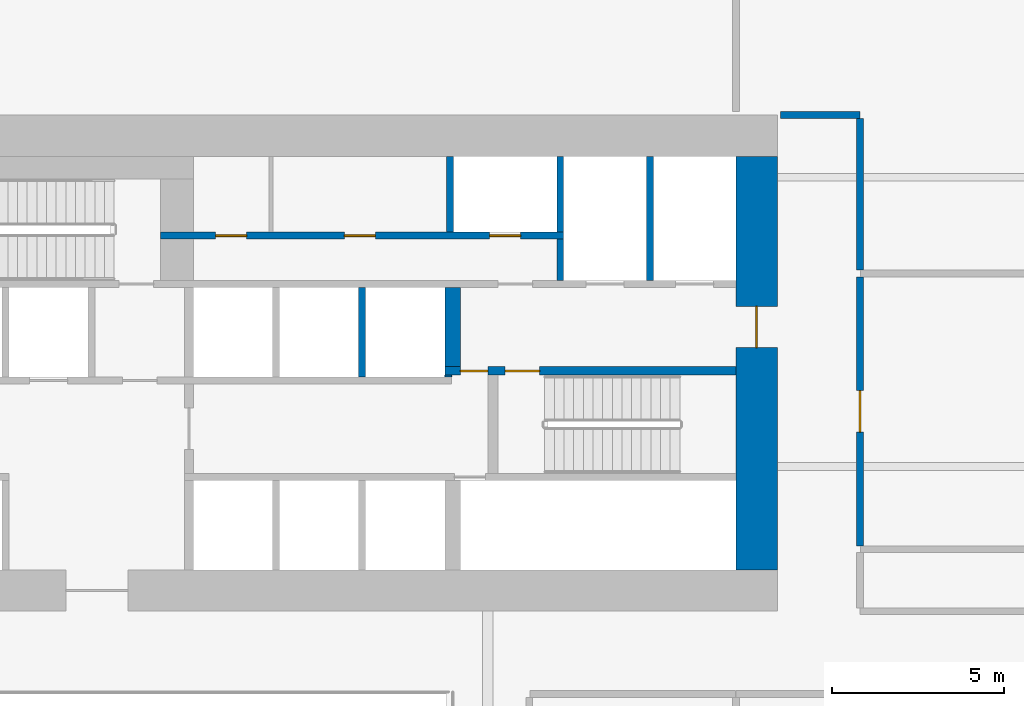
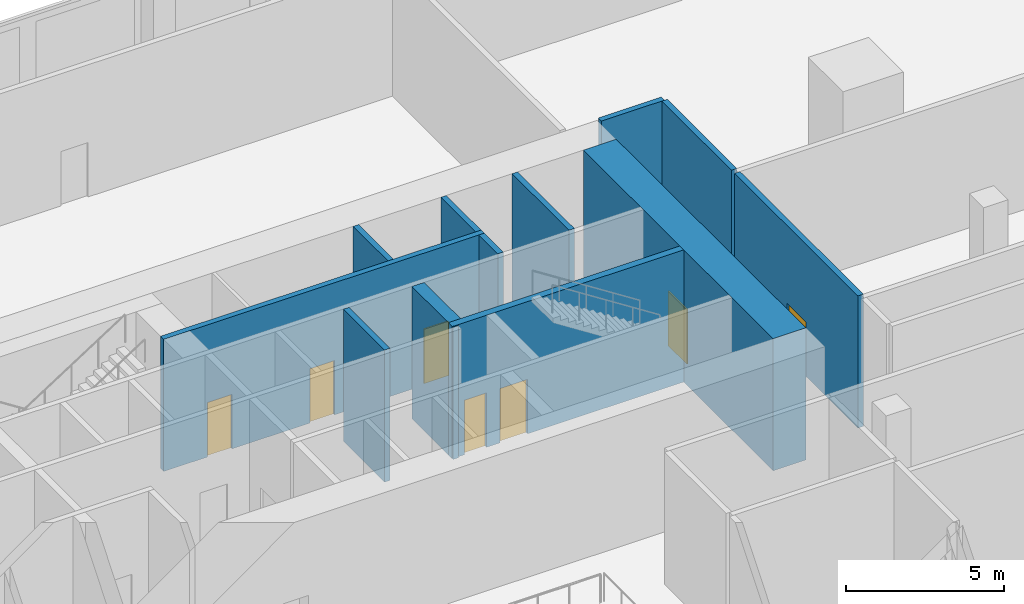
# One storey, part 31 of 39: 13 walls, 7 doors, 7 openings.
"""IFC4 building model written with IfcOpenShell, lengths in metres."""

from ifc_helpers import new_model, si_unit, direction, frame, frame_2d, origin, place, context, subcontext, project, spatial, rectangle, extrude, material, layer, layer_set, type_object, element, fill, save


model = new_model("IFC4")

# Units and contexts
model_context = context("Model", 3, precision=1e-05, world=origin(), true_north=direction((0.0, 1.0)))
body_context = subcontext(model_context, "Body", "Model", "MODEL_VIEW")
ifc_project = project(units=[si_unit("LENGTHUNIT", "METRE"), si_unit("AREAUNIT", "SQUARE_METRE"), si_unit("VOLUMEUNIT", "CUBIC_METRE"), si_unit("PLANEANGLEUNIT", "RADIAN"), si_unit("MASSUNIT", "GRAM", prefix="KILO")], contexts=[model_context])

# Site, building, storey
site_placement = place(None, origin())
site = spatial("IfcSite", under=ifc_project, at=site_placement, CompositionType="ELEMENT")
building_placement = place(site_placement, origin())
building = spatial("IfcBuilding", under=site, at=building_placement, Name="Saffron Gate Tower", CompositionType="ELEMENT")
storey_placement = place(building_placement, frame((0.0, 0.0, 9.0)))
storey = spatial("IfcBuildingStorey", under=building, at=storey_placement, Name="L01", CompositionType="ELEMENT", Elevation=9.0)

# Wall, opening, door
ifc_material_1 = material(Name="Concrete C70", Category="concrete")
ifc_layer_1 = layer(ifc_material_1, 1.199951171875)
ifc_layer_set_1 = layer_set([ifc_layer_1], Name="CW1 RC core wall 1200 C70")
wall_type_1 = type_object("IfcWallType", Name="CW1 RC core wall 1200 C70", PredefinedType="SOLIDWALL", material=ifc_layer_set_1)
wall_1_placement = place(storey_placement, frame((108.0, 62.39990234375, 0.0), z_axis=(0.0, 0.0, 1.0), x_axis=(0.0, 1.0, 0.0)))
wall_1 = element("IfcWall", 1, at=wall_1_placement, inside=storey, type_object=wall_type_1, Name="Wall CW1-L01-4", PredefinedType="SOLIDWALL", context=body_context, shape_type="SweptSolid", body=[
    extrude(rectangle(XDim=12.0, YDim=1.199951171875, at=frame_2d((6.0, 0.0))), origin(), (0.0, 0.0, 1.0), 5.10009765625),
])
opening_1_placement = place(wall_1_placement, frame((6.449951171875, 0.0, 0.0)))
opening_1 = element("IfcOpeningElement", 2, at=opening_1_placement, cuts=wall_1, Name="Opening CR-08", PredefinedType="OPENING", context=body_context, shape_type="SweptSolid", body=[
    extrude(rectangle(XDim=1.199951171875, YDim=2.10009765625, at=frame_2d((0.60009765625, 1.050048828125))), frame((0.0, 0.60986328125, 0.0), z_axis=(0.0, -1.0, 0.0), x_axis=(1.0, 0.0, 0.0)), (0.0, 0.0, 1.0), 1.219970703125),
])
ifc_material_2 = material(Name="Steel fire door set", Category="steel")
door_type_1 = type_object("IfcDoorType", Name="CD7 Core entrance door 1200x2100 EI 120", OperationType="NOTDEFINED", PredefinedType="DOOR", material=ifc_material_2)
door_1_placement = place(opening_1_placement, origin())
door_1 = element("IfcDoor", 3, at=door_1_placement, inside=storey, type_object=door_type_1, Name="DOOR CR-08", OperationType="SINGLE_SWING_RIGHT", OverallHeight=2.10009765625, OverallWidth=1.199951171875, PredefinedType="DOOR", context=body_context, shape_type="SweptSolid", body=[
    extrude(rectangle(XDim=1.199951171875, YDim=2.10009765625, at=frame_2d((0.60009765625, 1.050048828125))), frame((0.0, 0.02490234375, 0.0), z_axis=(0.0, -1.0, 0.0), x_axis=(1.0, 0.0, 0.0)), (0.0, 0.0, 1.0), 0.050048828125),
])
fill(opening_1, door_1)

# Wall, openings, doors
ifc_layer_2 = layer(ifc_material_1, 0.25)
ifc_layer_set_2 = layer_set([ifc_layer_2], Name="CW2 RC core wall 250 C70")
wall_type_2 = type_object("IfcWallType", Name="CW2 RC core wall 250 C70", PredefinedType="SOLIDWALL", material=ifc_layer_set_2)
wall_2_placement = place(storey_placement, frame((98.949951171875, 68.175048828125, 0.0), z_axis=(0.0, 0.0, 1.0), x_axis=(1.0, 0.0, 0.0)))
wall_2 = element("IfcWall", 4, at=wall_2_placement, inside=storey, type_object=wall_type_2, Name="Wall CW2-L01-31", PredefinedType="SOLIDWALL", context=body_context, shape_type="SweptSolid", body=[
    extrude(rectangle(XDim=8.449951171875, YDim=0.25, at=frame_2d((4.22509765625, 0.0))), origin(), (0.0, 0.0, 1.0), 5.10009765625),
])
opening_2_placement = place(wall_2_placement, frame((0.449951171875, 0.0, 0.0)))
opening_2 = element("IfcOpeningElement", 5, at=opening_2_placement, cuts=wall_2, Name="Opening CR-05", PredefinedType="OPENING", context=body_context, shape_type="SweptSolid", body=[
    extrude(rectangle(XDim=0.800048828125, YDim=2.10009765625, at=frame_2d((0.39990234375, 1.050048828125))), frame((0.0, 0.135009765625, 0.0), z_axis=(0.0, -1.0, 0.0), x_axis=(1.0, 0.0, 0.0)), (0.0, 0.0, 1.0), 0.27001953125),
])
opening_3_placement = place(wall_2_placement, frame((1.75, 0.0, 0.0)))
opening_3 = element("IfcOpeningElement", 6, at=opening_3_placement, cuts=wall_2, Name="Opening CR-16", PredefinedType="OPENING", context=body_context, shape_type="SweptSolid", body=[
    extrude(rectangle(XDim=1.0, YDim=2.10009765625, at=frame_2d((0.5, 1.050048828125))), frame((0.0, 0.135009765625, 0.0), z_axis=(0.0, -1.0, 0.0), x_axis=(1.0, 0.0, 0.0)), (0.0, 0.0, 1.0), 0.27001953125),
])
door_type_2 = type_object("IfcDoorType", Name="CD5 Stair door 1000x2100 EI 120", OperationType="NOTDEFINED", PredefinedType="DOOR", material=ifc_material_2)
door_2_placement = place(opening_3_placement, origin())
door_2 = element("IfcDoor", 7, at=door_2_placement, inside=storey, type_object=door_type_2, Name="DOOR CR-16", OperationType="SINGLE_SWING_RIGHT", OverallHeight=2.10009765625, OverallWidth=1.0, PredefinedType="DOOR", context=body_context, shape_type="SweptSolid", body=[
    extrude(rectangle(XDim=1.0, YDim=2.10009765625, at=frame_2d((0.5, 1.050048828125))), frame((0.0, 0.02490234375, 0.0), z_axis=(0.0, -1.0, 0.0), x_axis=(1.0, 0.0, 0.0)), (0.0, 0.0, 1.0), 0.050048828125),
])
fill(opening_3, door_2)
door_type_3 = type_object("IfcDoorType", Name="CD6 Lobby door 800x2100 EI 120", OperationType="NOTDEFINED", PredefinedType="DOOR", material=ifc_material_2)
door_3_placement = place(opening_2_placement, origin())
door_3 = element("IfcDoor", 8, at=door_3_placement, inside=storey, type_object=door_type_3, Name="DOOR CR-05", OperationType="SINGLE_SWING_LEFT", OverallHeight=2.10009765625, OverallWidth=0.800048828125, PredefinedType="DOOR", context=body_context, shape_type="SweptSolid", body=[
    extrude(rectangle(XDim=0.800048828125, YDim=2.10009765625, at=frame_2d((0.39990234375, 1.050048828125))), frame((0.0, 0.02490234375, 0.0), z_axis=(0.0, -1.0, 0.0), x_axis=(1.0, 0.0, 0.0)), (0.0, 0.0, 1.0), 0.050048828125),
])
fill(opening_2, door_3)

# Walls
ifc_layer_3 = layer(ifc_material_1, 0.199951171875)
ifc_layer_set_3 = layer_set([ifc_layer_3], Name="CW3 RC core wall 200 C70")
wall_type_3 = type_object("IfcWallType", Name="CW3 RC core wall 200 C70", PredefinedType="SOLIDWALL", material=ifc_layer_set_3)
wall_3_placement = place(storey_placement, frame((96.550048828125, 68.0, 0.0), z_axis=(0.0, 0.0, 1.0), x_axis=(0.0, 1.0, 0.0)))
element("IfcWall", 9, at=wall_3_placement, inside=storey, type_object=wall_type_3, Name="Wall CW3-L01-28", PredefinedType="SOLIDWALL", context=body_context, shape_type="SweptSolid", body=[
    extrude(rectangle(XDim=2.60009765625, YDim=0.199951171875, at=frame_2d((1.300048828125, 0.0))), origin(), (0.0, 0.0, 1.0), 5.10009765625),
])
wall_4_placement = place(storey_placement, frame((102.300048828125, 70.800048828125, 0.0), z_axis=(0.0, 0.0, 1.0), x_axis=(0.0, 1.0, 0.0)))
element("IfcWall", 10, at=wall_4_placement, inside=storey, type_object=wall_type_3, Name="Wall CW3-L01-39", PredefinedType="SOLIDWALL", context=body_context, shape_type="SweptSolid", body=[
    extrude(rectangle(XDim=1.199951171875, YDim=0.199951171875, at=frame_2d((0.60009765625, 0.0))), origin(), (0.0, 0.0, 1.0), 5.10009765625),
])
wall_5_placement = place(storey_placement, frame((104.89990234375, 70.800048828125, 0.0), z_axis=(0.0, 0.0, 1.0), x_axis=(0.0, 1.0, 0.0)))
element("IfcWall", 11, at=wall_5_placement, inside=storey, type_object=wall_type_3, Name="Wall CW3-L01-40", PredefinedType="SOLIDWALL", context=body_context, shape_type="SweptSolid", body=[
    extrude(rectangle(XDim=3.599853515625, YDim=0.199951171875, at=frame_2d((1.7998046875, 0.0))), origin(), (0.0, 0.0, 1.0), 5.10009765625),
])

# Wall, openings, doors
wall_6_placement = place(storey_placement, frame((90.699951171875, 72.10009765625, 0.0), z_axis=(0.0, 0.0, 1.0), x_axis=(1.0, 0.0, 0.0)))
wall_6 = element("IfcWall", 12, at=wall_6_placement, inside=storey, type_object=wall_type_3, Name="Wall CW3-L01-42", PredefinedType="SOLIDWALL", context=body_context, shape_type="SweptSolid", body=[
    extrude(rectangle(XDim=11.699951171875, YDim=0.199951171875, at=frame_2d((5.85009765625, 0.0))), origin(), (0.0, 0.0, 1.0), 5.10009765625),
])
opening_4_placement = place(wall_6_placement, frame((1.60009765625, 0.0, 0.0)))
opening_4 = element("IfcOpeningElement", 13, at=opening_4_placement, cuts=wall_6, Name="Opening CR-50", PredefinedType="OPENING", context=body_context, shape_type="SweptSolid", body=[
    extrude(rectangle(XDim=0.89990234375, YDim=2.10009765625, at=frame_2d((0.449951171875, 1.050048828125))), frame((0.0, 0.10986328125, 0.0), z_axis=(0.0, -1.0, 0.0), x_axis=(1.0, 0.0, 0.0)), (0.0, 0.0, 1.0), 0.219970703125),
])
opening_5_placement = place(wall_6_placement, frame((5.3349609375, 0.0, 0.0)))
opening_5 = element("IfcOpeningElement", 14, at=opening_5_placement, cuts=wall_6, Name="Opening CR-53", PredefinedType="OPENING", context=body_context, shape_type="SweptSolid", body=[
    extrude(rectangle(XDim=0.89990234375, YDim=2.10009765625, at=frame_2d((0.449951171875, 1.050048828125))), frame((0.0, 0.10986328125, 0.0), z_axis=(0.0, -1.0, 0.0), x_axis=(1.0, 0.0, 0.0)), (0.0, 0.0, 1.0), 0.219970703125),
])
opening_6_placement = place(wall_6_placement, frame((9.550048828125, 0.0, 0.0)))
opening_6 = element("IfcOpeningElement", 15, at=opening_6_placement, cuts=wall_6, Name="Opening CR-70", PredefinedType="OPENING", context=body_context, shape_type="SweptSolid", body=[
    extrude(rectangle(XDim=0.89990234375, YDim=2.10009765625, at=frame_2d((0.449951171875, 1.050048828125))), frame((0.0, 0.10986328125, 0.0), z_axis=(0.0, -1.0, 0.0), x_axis=(1.0, 0.0, 0.0)), (0.0, 0.0, 1.0), 0.219970703125),
])
door_type_4 = type_object("IfcDoorType", Name="CD2 Riser door 900x2100 EI 60", OperationType="NOTDEFINED", PredefinedType="DOOR", material=ifc_material_2)
door_4_placement = place(opening_6_placement, origin())
door_4 = element("IfcDoor", 16, at=door_4_placement, inside=storey, type_object=door_type_4, Name="DOOR CR-70", OperationType="SINGLE_SWING_LEFT", OverallHeight=2.10009765625, OverallWidth=0.89990234375, PredefinedType="DOOR", context=body_context, shape_type="SweptSolid", body=[
    extrude(rectangle(XDim=0.89990234375, YDim=2.10009765625, at=frame_2d((0.449951171875, 1.050048828125))), frame((0.0, 0.02490234375, 0.0), z_axis=(0.0, -1.0, 0.0), x_axis=(1.0, 0.0, 0.0)), (0.0, 0.0, 1.0), 0.050048828125),
])
fill(opening_6, door_4)
door_type_5 = type_object("IfcDoorType", Name="CD9 Room door 900x2100 EI 60", OperationType="NOTDEFINED", PredefinedType="DOOR", material=ifc_material_2)
door_5_placement = place(opening_4_placement, origin())
door_5 = element("IfcDoor", 17, at=door_5_placement, inside=storey, type_object=door_type_5, Name="DOOR CR-50", OperationType="SINGLE_SWING_LEFT", OverallHeight=2.10009765625, OverallWidth=0.89990234375, PredefinedType="DOOR", context=body_context, shape_type="SweptSolid", body=[
    extrude(rectangle(XDim=0.89990234375, YDim=2.10009765625, at=frame_2d((0.449951171875, 1.050048828125))), frame((0.0, 0.02490234375, 0.0), z_axis=(0.0, -1.0, 0.0), x_axis=(1.0, 0.0, 0.0)), (0.0, 0.0, 1.0), 0.050048828125),
])
fill(opening_4, door_5)
door_6_placement = place(opening_5_placement, origin())
door_6 = element("IfcDoor", 18, at=door_6_placement, inside=storey, type_object=door_type_5, Name="DOOR CR-53", OperationType="SINGLE_SWING_LEFT", OverallHeight=2.10009765625, OverallWidth=0.89990234375, PredefinedType="DOOR", context=body_context, shape_type="SweptSolid", body=[
    extrude(rectangle(XDim=0.89990234375, YDim=2.10009765625, at=frame_2d((0.449951171875, 1.050048828125))), frame((0.0, 0.02490234375, 0.0), z_axis=(0.0, -1.0, 0.0), x_axis=(1.0, 0.0, 0.0)), (0.0, 0.0, 1.0), 0.050048828125),
])
fill(opening_5, door_6)

# Walls
for number, where, z_axis, x_axis, name in (
    (19, (99.10009765625, 72.199951171875, 0.0), (0.0, 0.0, 1.0), (0.0, 1.0, 0.0), "Wall CW3-L01-50"),
    (20, (102.300048828125, 72.199951171875, 0.0), (0.0, 0.0, 1.0), (0.0, 1.0, 0.0), "Wall CW3-L01-51"),
):
    element("IfcWall", number, at=place(storey_placement, frame(where, z_axis=z_axis, x_axis=x_axis)), inside=storey, type_object=wall_type_3, Name=name, PredefinedType="SOLIDWALL", context=body_context, shape_type="SweptSolid", body=[
        extrude(rectangle(XDim=2.199951171875, YDim=0.199951171875, at=frame_2d((1.10009765625, 0.0))), origin(), (0.0, 0.0, 1.0), 5.10009765625),
    ])
ifc_layer_4 = layer(ifc_material_1, 0.449951171875)
ifc_layer_set_4 = layer_set([ifc_layer_4], Name="CW4 RC core wall 450 C70")
wall_type_4 = type_object("IfcWallType", Name="CW4 RC core wall 450 C70", PredefinedType="SOLIDWALL", material=ifc_layer_set_4)
wall_7_placement = place(storey_placement, frame((99.175048828125, 68.300048828125, 0.0), z_axis=(0.0, 0.0, 1.0), x_axis=(0.0, 1.0, 0.0)))
element("IfcWall", 21, at=wall_7_placement, inside=storey, type_object=wall_type_4, Name="Wall CW4-L01-33", PredefinedType="SOLIDWALL", context=body_context, shape_type="SweptSolid", body=[
    extrude(rectangle(XDim=2.300048828125, YDim=0.449951171875, at=frame_2d((1.14990234375, 0.0))), origin(), (0.0, 0.0, 1.0), 5.10009765625),
])
ifc_layer_5 = layer(ifc_material_1, 0.050048828125)
ifc_layer_set_5 = layer_set([ifc_layer_5], Name="CW6 RC core wall 50 C70")
wall_type_5 = type_object("IfcWallType", Name="CW6 RC core wall 50 C70", PredefinedType="SOLIDWALL", material=ifc_layer_set_5)
wall_8_placement = place(storey_placement, frame((98.949951171875, 68.02490234375, 0.0), z_axis=(0.0, 0.0, 1.0), x_axis=(1.0, 0.0, 0.0)))
element("IfcWall", 22, at=wall_8_placement, inside=storey, type_object=wall_type_5, Name="Wall CW6-L01-29", PredefinedType="SOLIDWALL", context=body_context, shape_type="SweptSolid", body=[
    extrude(rectangle(XDim=0.199951171875, YDim=0.050048828125, at=frame_2d((0.10009765625, 0.0))), origin(), (0.0, 0.0, 1.0), 5.10009765625),
])

# Wall, opening, door
ifc_material_3 = material(Name="Clay brick masonry, rendered", Category="masonry")
ifc_layer_6 = layer(ifc_material_3, 0.199951171875)
ifc_layer_set_6 = layer_set([ifc_layer_6], Name="PW3 Corridor wall 200")
wall_type_6 = type_object("IfcWallType", Name="PW3 Corridor wall 200", PredefinedType="PARTITIONING", material=ifc_layer_set_6)
wall_9_placement = place(storey_placement, frame((111.0, 70.89990234375, 0.0), z_axis=(0.0, 0.0, 1.0), x_axis=(0.0, -1.0, 0.0)))
wall_9 = element("IfcWall", 23, at=wall_9_placement, inside=storey, type_object=wall_type_6, Name="Wall P1-66", PredefinedType="PARTITIONING", context=body_context, shape_type="SweptSolid", body=[
    extrude(rectangle(XDim=7.7998046875, YDim=0.199951171875, at=frame_2d((3.89990234375, 0.0))), origin(), (0.0, 0.0, 1.0), 5.10009765625),
])
opening_7_placement = place(wall_9_placement, frame((3.300048828125, 0.0, 0.0)))
opening_7 = element("IfcOpeningElement", 24, at=opening_7_placement, cuts=wall_9, Name="Opening P1-14", PredefinedType="OPENING", context=body_context, shape_type="SweptSolid", body=[
    extrude(rectangle(XDim=1.199951171875, YDim=2.10009765625, at=frame_2d((0.60009765625, 1.050048828125))), frame((0.0, 0.10986328125, 0.0), z_axis=(0.0, -1.0, 0.0), x_axis=(1.0, 0.0, 0.0)), (0.0, 0.0, 1.0), 0.219970703125),
])
ifc_material_4 = material(Name="Timber door set", Category="wood")
door_type_6 = type_object("IfcDoorType", Name="HD1 Hall door 1200x2100", OperationType="NOTDEFINED", PredefinedType="DOOR", material=ifc_material_4)
door_7_placement = place(opening_7_placement, origin())
door_7 = element("IfcDoor", 25, at=door_7_placement, inside=storey, type_object=door_type_6, Name="Door P1-14", OperationType="SINGLE_SWING_RIGHT", OverallHeight=2.10009765625, OverallWidth=1.199951171875, PredefinedType="DOOR", context=body_context, shape_type="SweptSolid", body=[
    extrude(rectangle(XDim=1.199951171875, YDim=2.10009765625, at=frame_2d((0.60009765625, 1.050048828125))), frame((0.0, 0.02490234375, 0.0), z_axis=(0.0, -1.0, 0.0), x_axis=(1.0, 0.0, 0.0)), (0.0, 0.0, 1.0), 0.050048828125),
])
fill(opening_7, door_7)

# Walls
ifc_layer_7 = layer(ifc_material_3, 0.199951171875)
ifc_layer_set_7 = layer_set([ifc_layer_7], Name="PW5 Room wall 200")
wall_type_7 = type_object("IfcWallType", Name="PW5 Room wall 200", PredefinedType="PARTITIONING", material=ifc_layer_set_7)
wall_10_placement = place(storey_placement, frame((108.699951171875, 75.60009765625, 0.0), z_axis=(0.0, 0.0, 1.0), x_axis=(1.0, 0.0, 0.0)))
element("IfcWall", 26, at=wall_10_placement, inside=storey, type_object=wall_type_7, Name="Wall P1-28", PredefinedType="PARTITIONING", context=body_context, shape_type="SweptSolid", body=[
    extrude(rectangle(XDim=2.300048828125, YDim=0.199951171875, at=frame_2d((1.14990234375, 0.0))), origin(), (0.0, 0.0, 1.0), 5.10009765625),
])
wall_11_placement = place(storey_placement, frame((111.0, 75.5, 0.0), z_axis=(0.0, 0.0, 1.0), x_axis=(0.0, -1.0, 0.0)))
element("IfcWall", 27, at=wall_11_placement, inside=storey, type_object=wall_type_7, Name="Wall P1-68", PredefinedType="PARTITIONING", context=body_context, shape_type="SweptSolid", body=[
    extrude(rectangle(XDim=4.39990234375, YDim=0.199951171875, at=frame_2d((2.199951171875, 0.0))), origin(), (0.0, 0.0, 1.0), 5.10009765625),
])

save(model, "model.ifc")
